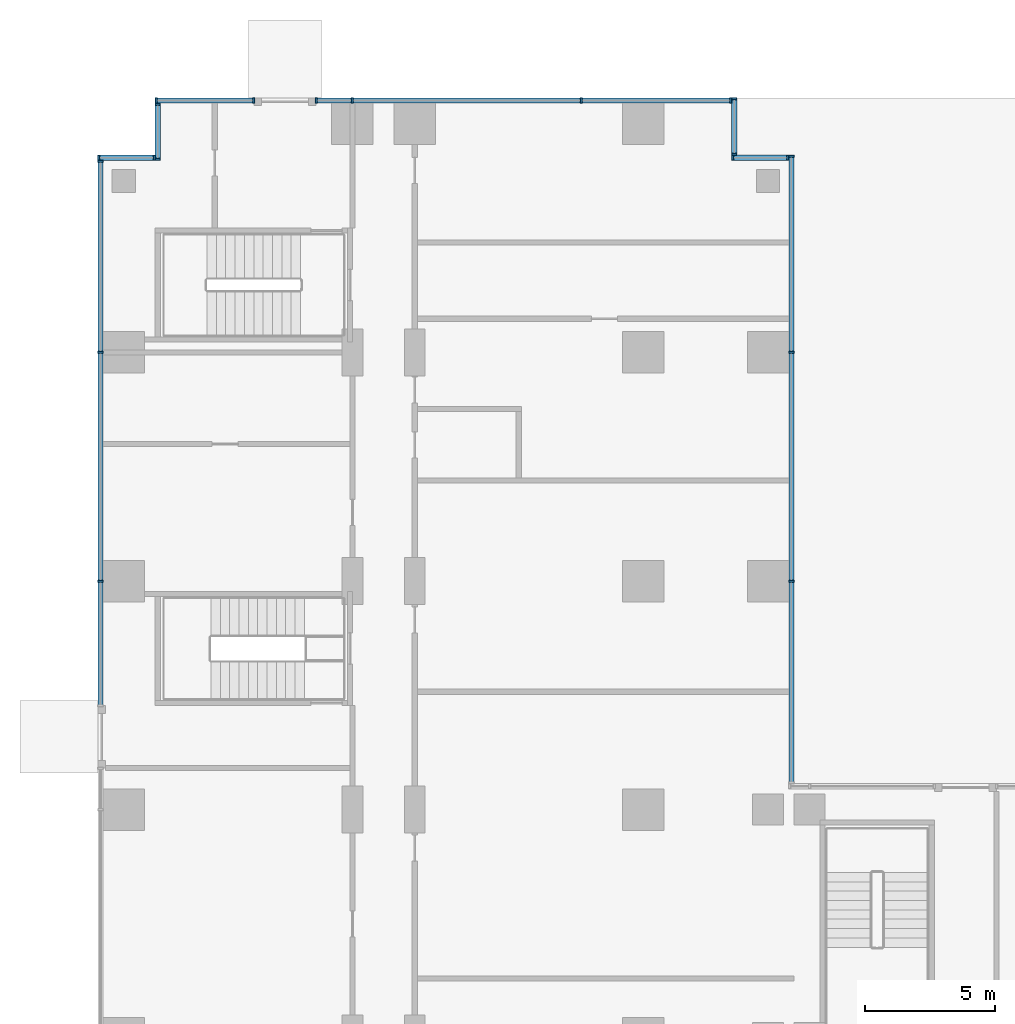
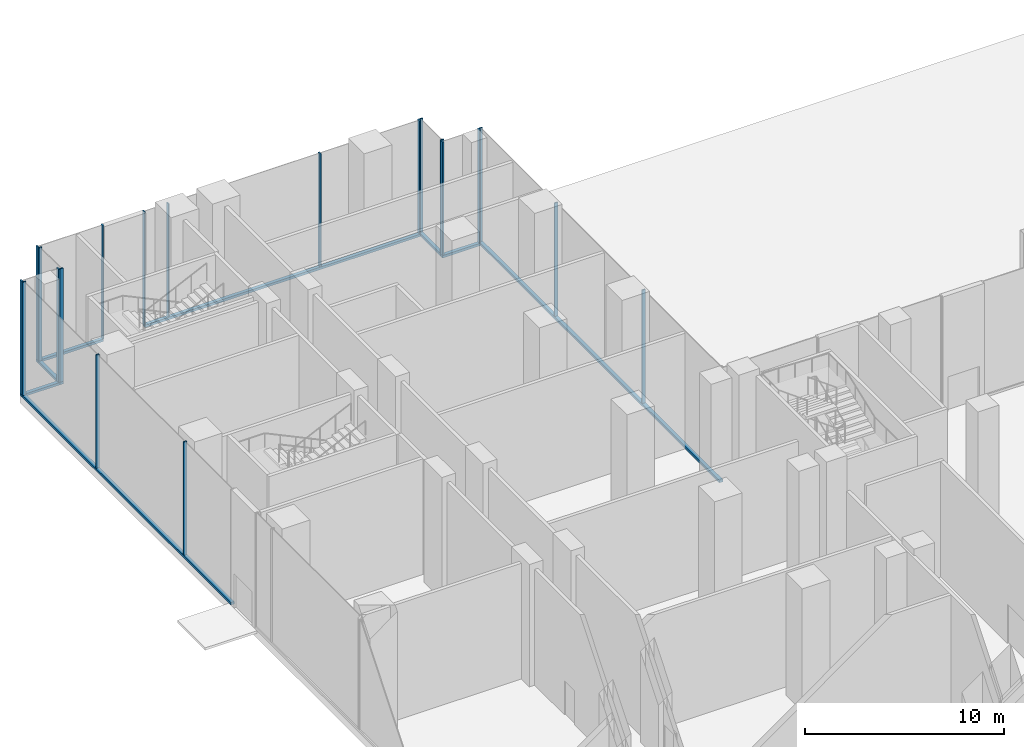
# One storey, part 15 of 41: 28 members, 8 elements without a shape of their own.
"""IFC4 building model written with IfcOpenShell, lengths in metres."""

from ifc_helpers import new_model, si_unit, direction, frame, origin, origin_2d, place, context, subcontext, project, spatial, rectangle, extrude, source, transform, mapped, material, material_profile, profile_set, type_object, element, aggregate, save


model = new_model("IFC4")

# Units and contexts
model_context = context("Model", 3, precision=1e-05, world=origin(), true_north=direction((0.0, 1.0)))
body_context = subcontext(model_context, "Body", "Model", "MODEL_VIEW")
ifc_project = project(units=[si_unit("LENGTHUNIT", "METRE"), si_unit("AREAUNIT", "SQUARE_METRE"), si_unit("VOLUMEUNIT", "CUBIC_METRE"), si_unit("PLANEANGLEUNIT", "RADIAN"), si_unit("MASSUNIT", "GRAM", prefix="KILO")], contexts=[model_context])

# Site, building, storey
site_placement = place(None, origin())
site = spatial("IfcSite", under=ifc_project, at=site_placement, CompositionType="ELEMENT")
building_placement = place(site_placement, origin())
building = spatial("IfcBuilding", under=site, at=building_placement, Name="Kemantara Hotel Tower", CompositionType="ELEMENT")
storey_placement = place(building_placement, origin())
storey = spatial("IfcBuildingStorey", under=building, at=storey_placement, Name="L00", CompositionType="ELEMENT", Elevation=0.0)

# Curtain wall, member
ifc_material_1 = material(Name="Laminated tinted insulated glass 44 mm", Category="glass")
curtain_wall_type = type_object("IfcCurtainWallType", Name="PODIUM GLASS CURTAIN WALL", PredefinedType="USERDEFINED", material=ifc_material_1)
curtain_wall_1_placement = place(storey_placement, origin())
curtain_wall_1 = element("IfcCurtainWall", 1, at=curtain_wall_1_placement, inside=storey, type_object=curtain_wall_type, Name="CW1 L00 POD-R10-1", ObjectType="PODIUM GLASS CURTAIN WALL", PredefinedType="USERDEFINED")
ifc_material_2 = material(Name="Aluminium 6063-T6 bronze anodised", Category="aluminium")
ifc_material_profile_1 = material_profile(ifc_material_2, rectangle(XDim=0.199951171875, YDim=0.14990234375, at=origin_2d()), Name="PODIUM GLASS CURTAIN WALL TRANSOM")
ifc_profile_set_1 = profile_set([ifc_material_profile_1], Name="Aluminium 6063-T6 bronze anodised")
member_type_1 = type_object("IfcMemberType", Name="PODIUM GLASS CURTAIN WALL TRANSOM", PredefinedType="USERDEFINED", material=ifc_profile_set_1)
member_1_placement = place(storey_placement, frame((26.699951171875, 54.800048828125, 0.074951171875), z_axis=(0.0, 1.0, 0.0), x_axis=(-1.0, 0.0, 0.0)))
member_1 = element("IfcMember", 2, at=member_1_placement, type_object=member_type_1, Name="CW1 sill transom POD-R10-1", ObjectType="TRANSOM", PredefinedType="USERDEFINED", context=body_context, shape_type="SweptSolid", body=[
    extrude(rectangle(XDim=0.199951171875, YDim=0.14990234375, at=origin_2d()), origin(), (0.0, 0.0, 1.0), 24.199951171875),
])

curtain_wall_2_placement = place(storey_placement, origin())
curtain_wall_2 = element("IfcCurtainWall", 3, at=curtain_wall_2_placement, inside=storey, type_object=curtain_wall_type, Name="CW1 L00 POD-R13-1", ObjectType="PODIUM GLASS CURTAIN WALL", PredefinedType="USERDEFINED")
member_2_placement = place(storey_placement, frame((24.39990234375, 81.10009765625, 0.074951171875), z_axis=(-1.0, 0.0, 0.0), x_axis=(0.0, -1.0, 0.0)))
member_2 = element("IfcMember", 4, at=member_2_placement, type_object=member_type_1, Name="CW1 sill transom POD-R13-1", ObjectType="TRANSOM", PredefinedType="USERDEFINED", context=body_context, shape_type="SweptSolid", body=[
    extrude(rectangle(XDim=0.199951171875, YDim=0.14990234375, at=origin_2d()), origin(), (0.0, 0.0, 1.0), 16.0),
])

curtain_wall_3_placement = place(storey_placement, origin())
curtain_wall_3 = element("IfcCurtainWall", 5, at=curtain_wall_3_placement, inside=storey, type_object=curtain_wall_type, Name="CW1 L00 POD-R13-2", ObjectType="PODIUM GLASS CURTAIN WALL", PredefinedType="USERDEFINED")
member_3_placement = place(storey_placement, frame((6.0, 81.10009765625, 0.074951171875), z_axis=(-1.0, 0.0, 0.0), x_axis=(0.0, -1.0, 0.0)))
member_3 = element("IfcMember", 6, at=member_3_placement, type_object=member_type_1, Name="CW1 sill transom POD-R13-2", ObjectType="TRANSOM", PredefinedType="USERDEFINED", context=body_context, shape_type="SweptSolid", body=[
    extrude(rectangle(XDim=0.199951171875, YDim=0.14990234375, at=origin_2d()), origin(), (0.0, 0.0, 1.0), 3.800048828125),
])

curtain_wall_4_placement = place(storey_placement, origin())
curtain_wall_4 = element("IfcCurtainWall", 7, at=curtain_wall_4_placement, inside=storey, type_object=curtain_wall_type, Name="CW1 L00 POD-R16-1", ObjectType="PODIUM GLASS CURTAIN WALL", PredefinedType="USERDEFINED")
member_4_placement = place(storey_placement, frame((0.10009765625, 78.800048828125, 0.074951171875), z_axis=(0.0, -1.0, 0.0), x_axis=(1.0, 0.0, 0.0)))
member_4 = element("IfcMember", 8, at=member_4_placement, type_object=member_type_1, Name="CW1 sill transom POD-R16-1", ObjectType="TRANSOM", PredefinedType="USERDEFINED", context=body_context, shape_type="SweptSolid", body=[
    extrude(rectangle(XDim=0.199951171875, YDim=0.14990234375, at=origin_2d()), origin(), (0.0, 0.0, 1.0), 21.0),
])

curtain_wall_5_placement = place(storey_placement, origin())
curtain_wall_5 = element("IfcCurtainWall", 9, at=curtain_wall_5_placement, inside=storey, type_object=curtain_wall_type, Name="CW1 L00 POD-R11-1", ObjectType="PODIUM GLASS CURTAIN WALL", PredefinedType="USERDEFINED")
member_5_placement = place(storey_placement, frame((26.60009765625, 78.89990234375, 0.074951171875), z_axis=(-1.0, 0.0, 0.0), x_axis=(0.0, -1.0, 0.0)))
member_5 = element("IfcMember", 10, at=member_5_placement, type_object=member_type_1, Name="CW1 sill transom POD-R11-1", ObjectType="TRANSOM", PredefinedType="USERDEFINED", context=body_context, shape_type="SweptSolid", body=[
    extrude(rectangle(XDim=0.199951171875, YDim=0.14990234375, at=origin_2d()), origin(), (0.0, 0.0, 1.0), 2.2001953125),
])

curtain_wall_6_placement = place(storey_placement, origin())
curtain_wall_6 = element("IfcCurtainWall", 11, at=curtain_wall_6_placement, inside=storey, type_object=curtain_wall_type, Name="CW1 L00 POD-R12-1", ObjectType="PODIUM GLASS CURTAIN WALL", PredefinedType="USERDEFINED")
member_6_placement = place(storey_placement, frame((24.5, 79.0, 0.074951171875), z_axis=(0.0, 1.0, 0.0), x_axis=(-1.0, 0.0, 0.0)))
member_6 = element("IfcMember", 12, at=member_6_placement, type_object=member_type_1, Name="CW1 sill transom POD-R12-1", ObjectType="TRANSOM", PredefinedType="USERDEFINED", context=body_context, shape_type="SweptSolid", body=[
    extrude(rectangle(XDim=0.199951171875, YDim=0.14990234375, at=origin_2d()), origin(), (0.0, 0.0, 1.0), 2.199951171875),
])

curtain_wall_7_placement = place(storey_placement, origin())
curtain_wall_7 = element("IfcCurtainWall", 13, at=curtain_wall_7_placement, inside=storey, type_object=curtain_wall_type, Name="CW1 L00 POD-R14-1", ObjectType="PODIUM GLASS CURTAIN WALL", PredefinedType="USERDEFINED")
member_7_placement = place(storey_placement, frame((2.300048828125, 81.0, 0.074951171875), z_axis=(0.0, -1.0, 0.0), x_axis=(1.0, 0.0, 0.0)))
member_7 = element("IfcMember", 14, at=member_7_placement, type_object=member_type_1, Name="CW1 sill transom POD-R14-1", ObjectType="TRANSOM", PredefinedType="USERDEFINED", context=body_context, shape_type="SweptSolid", body=[
    extrude(rectangle(XDim=0.199951171875, YDim=0.14990234375, at=origin_2d()), origin(), (0.0, 0.0, 1.0), 2.199951171875),
])

curtain_wall_8_placement = place(storey_placement, origin())
curtain_wall_8 = element("IfcCurtainWall", 15, at=curtain_wall_8_placement, inside=storey, type_object=curtain_wall_type, Name="CW1 L00 POD-R15-1", ObjectType="PODIUM GLASS CURTAIN WALL", PredefinedType="USERDEFINED")
member_8_placement = place(storey_placement, frame((2.199951171875, 78.89990234375, 0.074951171875), z_axis=(-1.0, 0.0, 0.0), x_axis=(0.0, -1.0, 0.0)))
member_8 = element("IfcMember", 16, at=member_8_placement, type_object=member_type_1, Name="CW1 sill transom POD-R15-1", ObjectType="TRANSOM", PredefinedType="USERDEFINED", context=body_context, shape_type="SweptSolid", body=[
    extrude(rectangle(XDim=0.199951171875, YDim=0.14990234375, at=origin_2d()), origin(), (0.0, 0.0, 1.0), 2.199951171875),
])

# Member
ifc_material_profile_2 = material_profile(ifc_material_2, rectangle(XDim=0.199951171875, YDim=0.074951171875, at=origin_2d()), Name="PODIUM GLASS CURTAIN WALL MULLION")
ifc_profile_set_2 = profile_set([ifc_material_profile_2], Name="Aluminium 6063-T6 bronze anodised")
member_type_2 = type_object("IfcMemberType", Name="PODIUM GLASS CURTAIN WALL MULLION", PredefinedType="MULLION", material=ifc_profile_set_2)
shared_shape = source(origin(), body_context, "Body", "SweptSolid", [
    extrude(rectangle(XDim=0.199951171875, YDim=0.074951171875, at=origin_2d()), origin(), (0.0, 0.0, 1.0), 6.9501953125),
])
member_9_placement = place(storey_placement, frame((26.699951171875, 62.60009765625, 0.14990234375), z_axis=(0.0, 0.0, 1.0), x_axis=(-1.0, 0.0, 0.0)))
member_9 = element("IfcMember", 17, at=member_9_placement, type_object=member_type_2, Name="CW1 mullion POD-R10-1.2", PredefinedType="MULLION", context=body_context, shape_type="MappedRepresentation", body=[
    mapped(shared_shape, transform((0.0, 0.0, 0.0))),
])

member_10_placement = place(storey_placement, frame((26.699951171875, 71.39990234375, 0.14990234375), z_axis=(0.0, 0.0, 1.0), x_axis=(-1.0, 0.0, 0.0)))
member_10 = element("IfcMember", 18, at=member_10_placement, type_object=member_type_2, Name="CW1 mullion POD-R10-1.3", PredefinedType="MULLION", context=body_context, shape_type="MappedRepresentation", body=[
    mapped(shared_shape, transform((0.0, 0.0, 0.0))),
])

member_11_placement = place(storey_placement, frame((26.699951171875, 78.96240234375, 0.14990234375), z_axis=(0.0, 0.0, 1.0), x_axis=(-1.0, 0.0, 0.0)))
member_11 = element("IfcMember", 19, at=member_11_placement, type_object=member_type_2, Name="CW1 mullion POD-R10-1.4", PredefinedType="MULLION", context=body_context, shape_type="MappedRepresentation", body=[
    mapped(shared_shape, transform((0.0, 0.0, 0.0))),
])

aggregate(curtain_wall_1, [member_1, member_9, member_10, member_11])

member_12_placement = place(storey_placement, frame((24.362548828125, 81.10009765625, 0.14990234375), z_axis=(0.0, 0.0, 1.0), x_axis=(0.0, -1.0, 0.0)))
member_12 = element("IfcMember", 20, at=member_12_placement, type_object=member_type_2, Name="CW1 mullion POD-R13-1.1", PredefinedType="MULLION", context=body_context, shape_type="MappedRepresentation", body=[
    mapped(shared_shape, transform((0.0, 0.0, 0.0))),
])

member_13_placement = place(storey_placement, frame((18.60009765625, 81.10009765625, 0.14990234375), z_axis=(0.0, 0.0, 1.0), x_axis=(0.0, -1.0, 0.0)))
member_13 = element("IfcMember", 21, at=member_13_placement, type_object=member_type_2, Name="CW1 mullion POD-R13-1.2", PredefinedType="MULLION", context=body_context, shape_type="MappedRepresentation", body=[
    mapped(shared_shape, transform((0.0, 0.0, 0.0))),
])

member_14_placement = place(storey_placement, frame((9.800048828125, 81.10009765625, 0.14990234375), z_axis=(0.0, 0.0, 1.0), x_axis=(0.0, -1.0, 0.0)))
member_14 = element("IfcMember", 22, at=member_14_placement, type_object=member_type_2, Name="CW1 mullion POD-R13-1.3", PredefinedType="MULLION", context=body_context, shape_type="MappedRepresentation", body=[
    mapped(shared_shape, transform((0.0, 0.0, 0.0))),
])

member_15_placement = place(storey_placement, frame((8.39990234375, 81.10009765625, 0.14990234375), z_axis=(0.0, 0.0, 1.0), x_axis=(0.0, -1.0, 0.0)))
member_15 = element("IfcMember", 23, at=member_15_placement, type_object=member_type_2, Name="CW1 mullion POD-R13-1.4", PredefinedType="MULLION", context=body_context, shape_type="MappedRepresentation", body=[
    mapped(shared_shape, transform((0.0, 0.0, 0.0))),
])

aggregate(curtain_wall_2, [member_2, member_12, member_13, member_14, member_15])

member_16_placement = place(storey_placement, frame((6.0, 81.10009765625, 0.14990234375), z_axis=(0.0, 0.0, 1.0), x_axis=(0.0, -1.0, 0.0)))
member_16 = element("IfcMember", 24, at=member_16_placement, type_object=member_type_2, Name="CW1 mullion POD-R13-2.1", PredefinedType="MULLION", context=body_context, shape_type="MappedRepresentation", body=[
    mapped(shared_shape, transform((0.0, 0.0, 0.0))),
])

member_17_placement = place(storey_placement, frame((2.237548828125, 81.10009765625, 0.14990234375), z_axis=(0.0, 0.0, 1.0), x_axis=(0.0, -1.0, 0.0)))
member_17 = element("IfcMember", 25, at=member_17_placement, type_object=member_type_2, Name="CW1 mullion POD-R13-2.2", PredefinedType="MULLION", context=body_context, shape_type="MappedRepresentation", body=[
    mapped(shared_shape, transform((0.0, 0.0, 0.0))),
])

aggregate(curtain_wall_3, [member_3, member_16, member_17])

member_18_placement = place(storey_placement, frame((0.10009765625, 78.762451171875, 0.14990234375), z_axis=(0.0, 0.0, 1.0), x_axis=(1.0, 0.0, 0.0)))
member_18 = element("IfcMember", 26, at=member_18_placement, type_object=member_type_2, Name="CW1 mullion POD-R16-1.1", PredefinedType="MULLION", context=body_context, shape_type="MappedRepresentation", body=[
    mapped(shared_shape, transform((0.0, 0.0, 0.0))),
])

member_19_placement = place(storey_placement, frame((0.10009765625, 71.39990234375, 0.14990234375), z_axis=(0.0, 0.0, 1.0), x_axis=(1.0, 0.0, 0.0)))
member_19 = element("IfcMember", 27, at=member_19_placement, type_object=member_type_2, Name="CW1 mullion POD-R16-1.2", PredefinedType="MULLION", context=body_context, shape_type="MappedRepresentation", body=[
    mapped(shared_shape, transform((0.0, 0.0, 0.0))),
])

member_20_placement = place(storey_placement, frame((0.10009765625, 62.60009765625, 0.14990234375), z_axis=(0.0, 0.0, 1.0), x_axis=(1.0, 0.0, 0.0)))
member_20 = element("IfcMember", 28, at=member_20_placement, type_object=member_type_2, Name="CW1 mullion POD-R16-1.3", PredefinedType="MULLION", context=body_context, shape_type="MappedRepresentation", body=[
    mapped(shared_shape, transform((0.0, 0.0, 0.0))),
])

aggregate(curtain_wall_4, [member_4, member_18, member_19, member_20])

member_21_placement = place(storey_placement, frame((26.5625, 78.89990234375, 0.14990234375), z_axis=(0.0, 0.0, 1.0), x_axis=(0.0, -1.0, 0.0)))
member_21 = element("IfcMember", 29, at=member_21_placement, type_object=member_type_2, Name="CW1 mullion POD-R11-1.1", PredefinedType="MULLION", context=body_context, shape_type="MappedRepresentation", body=[
    mapped(shared_shape, transform((0.0, 0.0, 0.0))),
])

member_22_placement = place(storey_placement, frame((24.4375, 78.89990234375, 0.14990234375), z_axis=(0.0, 0.0, 1.0), x_axis=(0.0, -1.0, 0.0)))
member_22 = element("IfcMember", 30, at=member_22_placement, type_object=member_type_2, Name="CW1 mullion POD-R11-1.2", PredefinedType="MULLION", context=body_context, shape_type="MappedRepresentation", body=[
    mapped(shared_shape, transform((0.0, 0.0, 0.0))),
])

aggregate(curtain_wall_5, [member_5, member_21, member_22])

member_23_placement = place(storey_placement, frame((24.5, 79.03759765625, 0.14990234375), z_axis=(0.0, 0.0, 1.0), x_axis=(-1.0, 0.0, 0.0)))
member_23 = element("IfcMember", 31, at=member_23_placement, type_object=member_type_2, Name="CW1 mullion POD-R12-1.1", PredefinedType="MULLION", context=body_context, shape_type="MappedRepresentation", body=[
    mapped(shared_shape, transform((0.0, 0.0, 0.0))),
])

member_24_placement = place(storey_placement, frame((24.5, 81.16259765625, 0.14990234375), z_axis=(0.0, 0.0, 1.0), x_axis=(-1.0, 0.0, 0.0)))
member_24 = element("IfcMember", 32, at=member_24_placement, type_object=member_type_2, Name="CW1 mullion POD-R12-1.2", PredefinedType="MULLION", context=body_context, shape_type="MappedRepresentation", body=[
    mapped(shared_shape, transform((0.0, 0.0, 0.0))),
])

aggregate(curtain_wall_6, [member_6, member_23, member_24])

member_25_placement = place(storey_placement, frame((2.300048828125, 80.96240234375, 0.14990234375), z_axis=(0.0, 0.0, 1.0), x_axis=(1.0, 0.0, 0.0)))
member_25 = element("IfcMember", 33, at=member_25_placement, type_object=member_type_2, Name="CW1 mullion POD-R14-1.1", PredefinedType="MULLION", context=body_context, shape_type="MappedRepresentation", body=[
    mapped(shared_shape, transform((0.0, 0.0, 0.0))),
])

member_26_placement = place(storey_placement, frame((2.300048828125, 78.83740234375, 0.14990234375), z_axis=(0.0, 0.0, 1.0), x_axis=(1.0, 0.0, 0.0)))
member_26 = element("IfcMember", 34, at=member_26_placement, type_object=member_type_2, Name="CW1 mullion POD-R14-1.2", PredefinedType="MULLION", context=body_context, shape_type="MappedRepresentation", body=[
    mapped(shared_shape, transform((0.0, 0.0, 0.0))),
])

aggregate(curtain_wall_7, [member_7, member_25, member_26])

member_27_placement = place(storey_placement, frame((2.16259765625, 78.89990234375, 0.14990234375), z_axis=(0.0, 0.0, 1.0), x_axis=(0.0, -1.0, 0.0)))
member_27 = element("IfcMember", 35, at=member_27_placement, type_object=member_type_2, Name="CW1 mullion POD-R15-1.1", PredefinedType="MULLION", context=body_context, shape_type="MappedRepresentation", body=[
    mapped(shared_shape, transform((0.0, 0.0, 0.0))),
])

member_28_placement = place(storey_placement, frame((0.03759765625, 78.89990234375, 0.14990234375), z_axis=(0.0, 0.0, 1.0), x_axis=(0.0, -1.0, 0.0)))
member_28 = element("IfcMember", 36, at=member_28_placement, type_object=member_type_2, Name="CW1 mullion POD-R15-1.2", PredefinedType="MULLION", context=body_context, shape_type="MappedRepresentation", body=[
    mapped(shared_shape, transform((0.0, 0.0, 0.0))),
])

aggregate(curtain_wall_8, [member_8, member_27, member_28])

save(model, "model.ifc")
